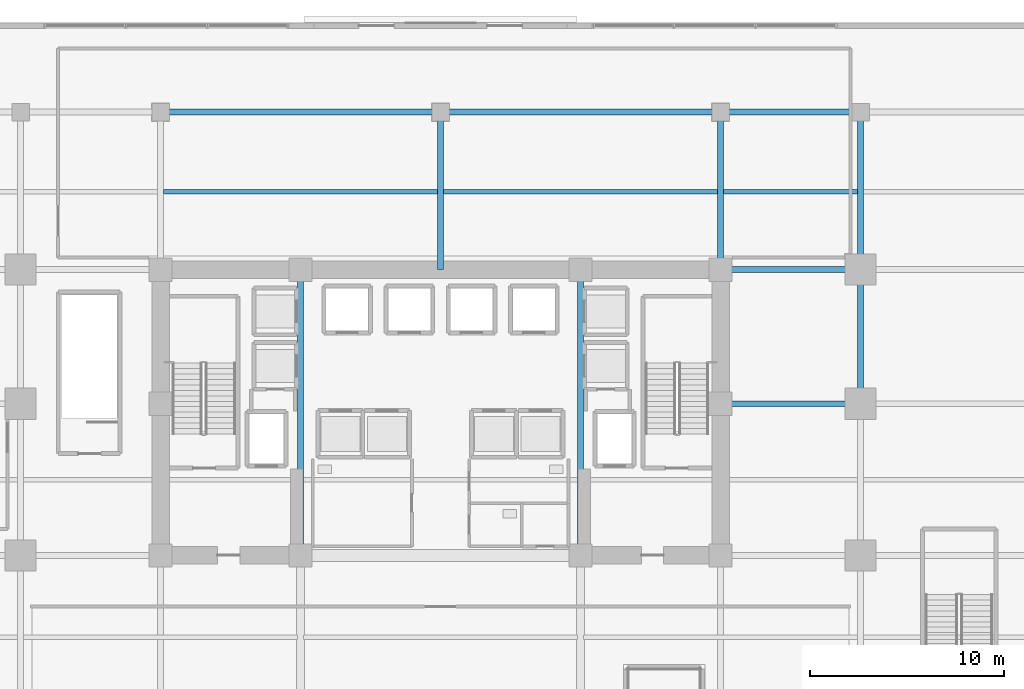
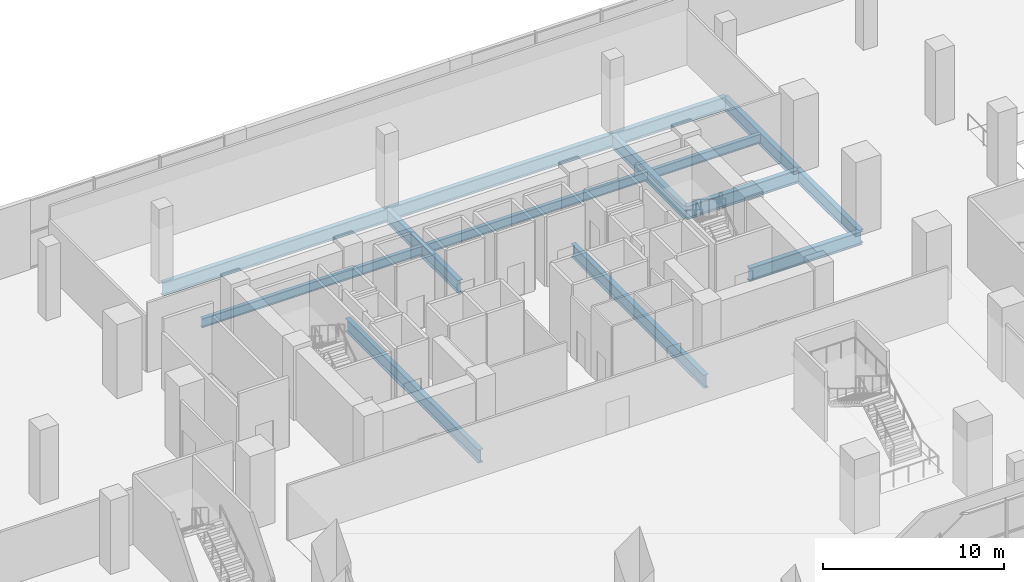
# One storey, part 9 of 27: 14 beams.
"""IFC4 building model written with IfcOpenShell, lengths in metres."""

from ifc_helpers import new_model, si_unit, direction, frame, origin, origin_2d, place, context, subcontext, project, spatial, i_section, extrude, material, material_profile, profile_set, type_object, element, save


model = new_model("IFC4")

# Units and contexts
model_context = context("Model", 3, precision=1e-05, world=origin(), true_north=direction((0.0, 1.0)))
body_context = subcontext(model_context, "Body", "Model", "MODEL_VIEW")
ifc_project = project(units=[si_unit("LENGTHUNIT", "METRE"), si_unit("AREAUNIT", "SQUARE_METRE"), si_unit("VOLUMEUNIT", "CUBIC_METRE"), si_unit("PLANEANGLEUNIT", "RADIAN"), si_unit("MASSUNIT", "GRAM", prefix="KILO")], contexts=[model_context])

# Site, building, storey
site_placement = place(None, origin())
site = spatial("IfcSite", under=ifc_project, at=site_placement, CompositionType="ELEMENT")
building_placement = place(site_placement, origin())
building = spatial("IfcBuilding", under=site, at=building_placement, Name="Zarnakvel Exchange Tower", CompositionType="ELEMENT")
storey_placement = place(building_placement, origin())
storey = spatial("IfcBuildingStorey", under=building, at=storey_placement, Name="L00", CompositionType="ELEMENT", Elevation=0.0)

# Beams
ifc_material = material(Name="Steel S355", Category="steel")
ifc_material_profile_1 = material_profile(ifc_material, i_section(OverallWidth=0.230224609375, OverallDepth=0.6171875, WebThickness=0.01318359375, FlangeThickness=0.022216796875, FilletRadius=0.0126953125, at=origin_2d()))
ifc_profile_set_1 = profile_set([ifc_material_profile_1], Name="Steel S355")
beam_type_1 = type_object("IfcBeamType", Name="B-02", PredefinedType="JOIST", material=ifc_profile_set_1)
for number, where, z_axis, x_axis, name in (
    (1, (-14.25, 17.5, -0.608642578125), (1.0, 0.0, 0.0), (0.0, 1.0, 0.0), "L00 North Bay Secondary Floor Joist"),
    (2, (0.14990234375, 17.5, -0.608642578125), (1.0, 0.0, 0.0), (0.0, 1.0, 0.0), "L00 North Bay Secondary Floor Joist"),
):
    element("IfcBeam", number, at=place(storey_placement, frame(where, z_axis=z_axis, x_axis=x_axis)), inside=storey, type_object=beam_type_1, Name=name, PredefinedType="JOIST", context=body_context, shape_type="SweptSolid", body=[
        extrude(i_section(OverallWidth=0.230224609375, OverallDepth=0.6171875, WebThickness=0.01318359375, FlangeThickness=0.022216796875, FilletRadius=0.0126953125, at=origin_2d()), origin(), (0.0, 0.0, 1.0), 14.10009765625),
    ])
beam_1_placement = place(storey_placement, frame((14.550048828125, 17.5, -0.608642578125), z_axis=(1.0, 0.0, 0.0), x_axis=(0.0, 1.0, 0.0)))
element("IfcBeam", 3, at=beam_1_placement, inside=storey, type_object=beam_type_1, Name="L00 North Bay Secondary Floor Joist", PredefinedType="JOIST", context=body_context, shape_type="SweptSolid", body=[
    extrude(i_section(OverallWidth=0.230224609375, OverallDepth=0.6171875, WebThickness=0.01318359375, FlangeThickness=0.022216796875, FilletRadius=0.0126953125, at=origin_2d()), origin(), (0.0, 0.0, 1.0), 6.89990234375),
])
ifc_material_profile_2 = material_profile(ifc_material, i_section(OverallWidth=0.300048828125, OverallDepth=0.89990234375, WebThickness=0.0185546875, FlangeThickness=0.034912109375, FilletRadius=0.030029296875, at=origin_2d()))
ifc_profile_set_2 = profile_set([ifc_material_profile_2], Name="Steel S355")
beam_type_2 = type_object("IfcBeamType", Name="G-01", PredefinedType="BEAM", material=ifc_profile_set_2)
for number, where, z_axis, x_axis, name in (
    (4, (14.39990234375, 6.60009765625, -0.75), (1.0, 0.0, 0.0), (0.0, 1.0, 0.0), "L00 Primary E-W Girder Y=+6.6"),
    (5, (14.39990234375, 13.5, -0.75), (1.0, 0.0, 0.0), (0.0, 1.0, 0.0), "L00 Primary E-W Girder Y=+13.5"),
):
    element("IfcBeam", number, at=place(storey_placement, frame(where, z_axis=z_axis, x_axis=x_axis)), inside=storey, type_object=beam_type_2, Name=name, PredefinedType="BEAM", context=body_context, shape_type="SweptSolid", body=[
        extrude(i_section(OverallWidth=0.300048828125, OverallDepth=0.89990234375, WebThickness=0.0185546875, FlangeThickness=0.034912109375, FilletRadius=0.030029296875, at=origin_2d()), origin(), (0.0, 0.0, 1.0), 7.2001953125),
    ])
for number, where, z_axis, x_axis, name in (
    (6, (-14.39990234375, 21.60009765625, -0.75), (1.0, 0.0, 0.0), (0.0, 1.0, 0.0), "L00 Primary E-W Girder Y=+21.6"),
    (7, (0.0, 21.60009765625, -0.75), (1.0, 0.0, 0.0), (0.0, 1.0, 0.0), "L00 Primary E-W Girder Y=+21.6"),
):
    element("IfcBeam", number, at=place(storey_placement, frame(where, z_axis=z_axis, x_axis=x_axis)), inside=storey, type_object=beam_type_2, Name=name, PredefinedType="BEAM", context=body_context, shape_type="SweptSolid", body=[
        extrude(i_section(OverallWidth=0.300048828125, OverallDepth=0.89990234375, WebThickness=0.0185546875, FlangeThickness=0.034912109375, FilletRadius=0.030029296875, at=origin_2d()), origin(), (0.0, 0.0, 1.0), 14.39990234375),
    ])
beam_2_placement = place(storey_placement, frame((14.39990234375, 21.60009765625, -0.75), z_axis=(1.0, 0.0, 0.0), x_axis=(0.0, 1.0, 0.0)))
element("IfcBeam", 8, at=beam_2_placement, inside=storey, type_object=beam_type_2, Name="L00 Primary E-W Girder Y=+21.6", PredefinedType="BEAM", context=body_context, shape_type="SweptSolid", body=[
    extrude(i_section(OverallWidth=0.300048828125, OverallDepth=0.89990234375, WebThickness=0.0185546875, FlangeThickness=0.034912109375, FilletRadius=0.030029296875, at=origin_2d()), origin(), (0.0, 0.0, 1.0), 7.2001953125),
])
beam_3_placement = place(storey_placement, frame((-7.199951171875, -1.199951171875, -0.75), z_axis=(0.0, 1.0, 0.0), x_axis=(-1.0, 0.0, 0.0)))
element("IfcBeam", 9, at=beam_3_placement, inside=storey, type_object=beam_type_2, Name="L00 Primary N-S Girder X=-7.2", PredefinedType="BEAM", context=body_context, shape_type="SweptSolid", body=[
    extrude(i_section(OverallWidth=0.300048828125, OverallDepth=0.89990234375, WebThickness=0.0185546875, FlangeThickness=0.034912109375, FilletRadius=0.030029296875, at=origin_2d()), origin(), (0.0, 0.0, 1.0), 14.699951171875),
])
beam_4_placement = place(storey_placement, frame((0.0, 13.5, -0.75), z_axis=(0.0, 1.0, 0.0), x_axis=(-1.0, 0.0, 0.0)))
element("IfcBeam", 10, at=beam_4_placement, inside=storey, type_object=beam_type_2, Name="L00 Primary N-S Girder X=+0.0 North", PredefinedType="BEAM", context=body_context, shape_type="SweptSolid", body=[
    extrude(i_section(OverallWidth=0.300048828125, OverallDepth=0.89990234375, WebThickness=0.0185546875, FlangeThickness=0.034912109375, FilletRadius=0.030029296875, at=origin_2d()), origin(), (0.0, 0.0, 1.0), 8.10009765625),
])
beam_5_placement = place(storey_placement, frame((7.199951171875, -1.199951171875, -0.75), z_axis=(0.0, 1.0, 0.0), x_axis=(-1.0, 0.0, 0.0)))
element("IfcBeam", 11, at=beam_5_placement, inside=storey, type_object=beam_type_2, Name="L00 Primary N-S Girder X=+7.2", PredefinedType="BEAM", context=body_context, shape_type="SweptSolid", body=[
    extrude(i_section(OverallWidth=0.300048828125, OverallDepth=0.89990234375, WebThickness=0.0185546875, FlangeThickness=0.034912109375, FilletRadius=0.030029296875, at=origin_2d()), origin(), (0.0, 0.0, 1.0), 14.699951171875),
])
beam_6_placement = place(storey_placement, frame((14.39990234375, 13.5, -0.75), z_axis=(0.0, 1.0, 0.0), x_axis=(-1.0, 0.0, 0.0)))
element("IfcBeam", 12, at=beam_6_placement, inside=storey, type_object=beam_type_2, Name="L00 Primary N-S Girder X=+14.4", PredefinedType="BEAM", context=body_context, shape_type="SweptSolid", body=[
    extrude(i_section(OverallWidth=0.300048828125, OverallDepth=0.89990234375, WebThickness=0.0185546875, FlangeThickness=0.034912109375, FilletRadius=0.030029296875, at=origin_2d()), origin(), (0.0, 0.0, 1.0), 8.10009765625),
])
beam_7_placement = place(storey_placement, frame((21.60009765625, 6.60009765625, -0.75), z_axis=(0.0, 1.0, 0.0), x_axis=(-1.0, 0.0, 0.0)))
element("IfcBeam", 13, at=beam_7_placement, inside=storey, type_object=beam_type_2, Name="L00 Primary N-S Girder X=+21.6", PredefinedType="BEAM", context=body_context, shape_type="SweptSolid", body=[
    extrude(i_section(OverallWidth=0.300048828125, OverallDepth=0.89990234375, WebThickness=0.0185546875, FlangeThickness=0.034912109375, FilletRadius=0.030029296875, at=origin_2d()), origin(), (0.0, 0.0, 1.0), 6.89990234375),
])
beam_8_placement = place(storey_placement, frame((21.60009765625, 13.5, -0.75), z_axis=(0.0, 1.0, 0.0), x_axis=(-1.0, 0.0, 0.0)))
element("IfcBeam", 14, at=beam_8_placement, inside=storey, type_object=beam_type_2, Name="L00 Primary N-S Girder X=+21.6", PredefinedType="BEAM", context=body_context, shape_type="SweptSolid", body=[
    extrude(i_section(OverallWidth=0.300048828125, OverallDepth=0.89990234375, WebThickness=0.0185546875, FlangeThickness=0.034912109375, FilletRadius=0.030029296875, at=origin_2d()), origin(), (0.0, 0.0, 1.0), 8.10009765625),
])

save(model, "model.ifc")
